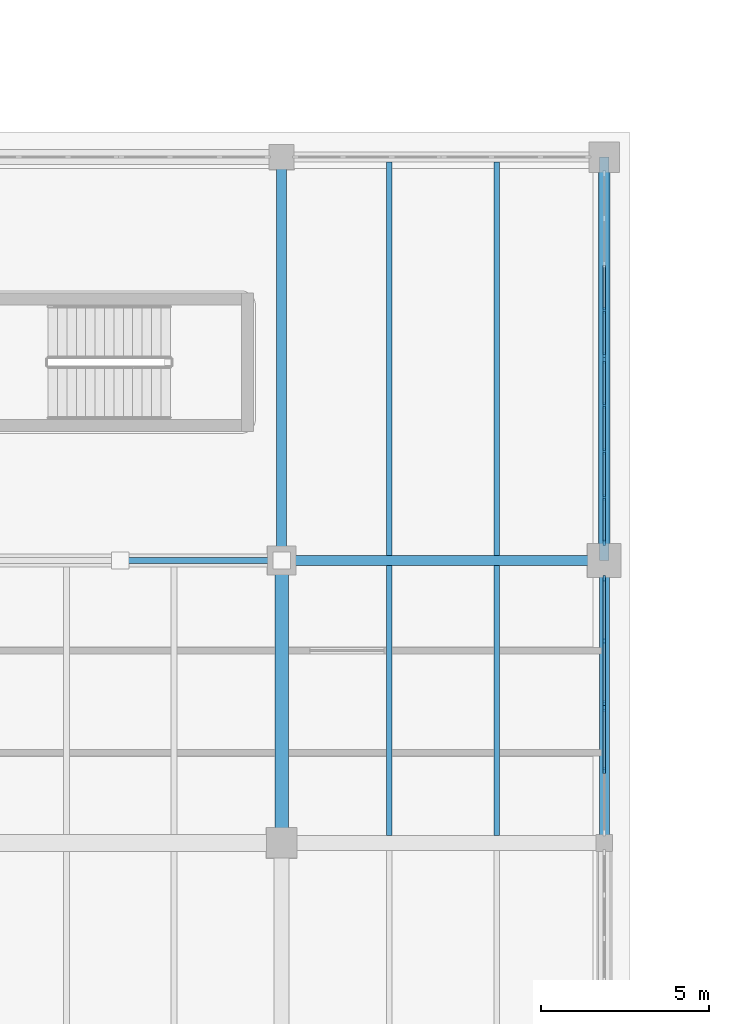
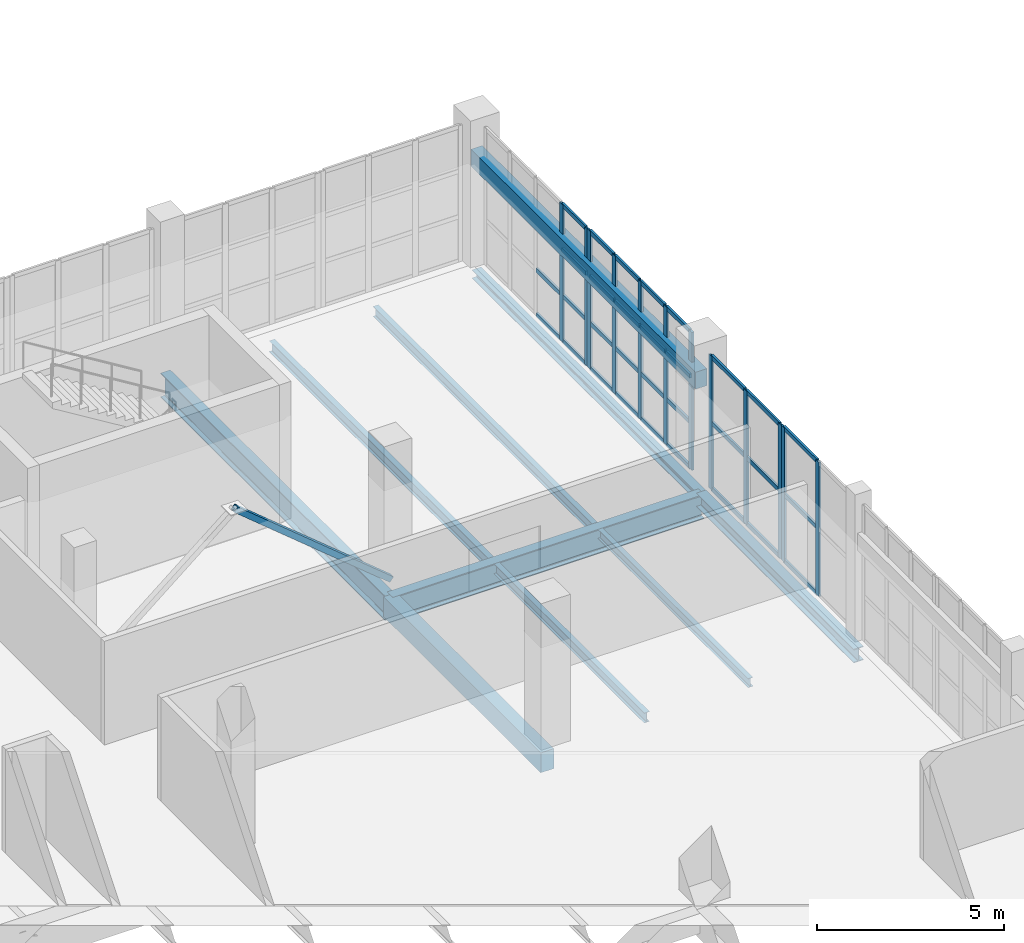
# One storey, part 36 of 121: 44 members, 10 beams, 4 elements without a shape of their own.
"""IFC4 building model written with IfcOpenShell, lengths in metres."""

from ifc_helpers import new_model, si_unit, direction, frame, origin, origin_2d, place, context, subcontext, project, spatial, rectangle, hollow_rectangle, i_section, extrude, material, layer, layer_set, material_profile, profile_set, type_object, element, aggregate, save


model = new_model("IFC4")

# Units and contexts
model_context = context("Model", 3, precision=1e-05, world=origin(), true_north=direction((0.0, 1.0)))
body_context = subcontext(model_context, "Body", "Model", "MODEL_VIEW")
ifc_project = project(units=[si_unit("LENGTHUNIT", "METRE"), si_unit("AREAUNIT", "SQUARE_METRE"), si_unit("VOLUMEUNIT", "CUBIC_METRE"), si_unit("PLANEANGLEUNIT", "RADIAN"), si_unit("MASSUNIT", "GRAM", prefix="KILO")], contexts=[model_context])

# Site, building, storey
site_placement = place(None, origin())
site = spatial("IfcSite", under=ifc_project, at=site_placement, CompositionType="ELEMENT")
building_placement = place(site_placement, origin())
building = spatial("IfcBuilding", under=site, at=building_placement, Name="Zereglee Splitstone Museum", CompositionType="ELEMENT")
storey_placement = place(building_placement, origin())
storey = spatial("IfcBuildingStorey", under=building, at=storey_placement, Name="L00", CompositionType="ELEMENT", Elevation=0.0)

# Beam
ifc_material_1 = material(Name="Concrete C40/50", Category="concrete")
ifc_material_profile_1 = material_profile(ifc_material_1, rectangle(XDim=0.39990234375, YDim=0.64990234375, at=origin_2d()), Name="RC 400x650")
ifc_profile_set_1 = profile_set([ifc_material_profile_1], Name="Concrete C40/50")
beam_type_1 = type_object("IfcBeamType", Name="BG-04", PredefinedType="BEAM", material=ifc_profile_set_1)
beam_1_placement = place(storey_placement, frame((135.60009765625, 30.0, -0.7451171875), z_axis=(0.0, 1.0, 0.0), x_axis=(-1.0, 0.0, 0.0)))
element("IfcBeam", 1, at=beam_1_placement, inside=storey, type_object=beam_type_1, Name="Primary Girder L00 16 (30.0-38.4)", PredefinedType="BEAM", context=body_context, shape_type="SweptSolid", body=[
    extrude(rectangle(XDim=0.39990234375, YDim=0.64990234375, at=origin_2d()), origin(), (0.0, 0.0, 1.0), 8.39990234375),
])

# Member
ifc_material_2 = material(Name="Steel S355J2H", Category="steel")
ifc_material_profile_2 = material_profile(ifc_material_2, hollow_rectangle(XDim=0.179931640625, YDim=0.179931640625, WallThickness=0.010009765625, at=origin_2d()), Name="SHS 180x180x10")
ifc_profile_set_2 = profile_set([ifc_material_profile_2], Name="Steel S355J2H")
member_type_1 = type_object("IfcMemberType", Name="TB-08", PredefinedType="BRACE", material=ifc_profile_set_2)
member_1_placement = place(storey_placement, frame((135.60009765625, 38.39990234375, 0.1201171875), z_axis=(-0.771379537849, 0.0, 0.636375367678), x_axis=(0.0, -1.0, 0.0)))
element("IfcMember", 2, at=member_1_placement, inside=storey, type_object=member_type_1, Name="Lateral Braced Frame Chevron L00-010B", PredefinedType="BRACE", context=body_context, shape_type="SweptSolid", body=[
    extrude(hollow_rectangle(XDim=0.179931640625, YDim=0.179931640625, WallThickness=0.010009765625, at=origin_2d()), origin(), (0.0, 0.0, 1.0), 6.22265625),
])

# Curtain wall, members
ifc_material_3 = material(Name="Triple-glazed low-E argon glass and bronze-anodised aluminium", Category="aluminium")
ifc_layer_1 = layer(ifc_material_3, 0.179931640625)
ifc_layer_set_1 = layer_set([ifc_layer_1], Name="Triple-glazed low-E argon glass and bronze-anodised aluminium")
curtain_wall_type_1 = type_object("IfcCurtainWallType", Name="CW-0378-438", PredefinedType="USERDEFINED", material=ifc_layer_set_1)
curtain_wall_1_placement = place(storey_placement, origin())
curtain_wall_1 = element("IfcCurtainWall", 3, at=curtain_wall_1_placement, inside=storey, type_object=curtain_wall_type_1, Name="Glazed Curtain Wall CW-0378-438 (L00)", ObjectType="GLAZED CURTAIN WALL", PredefinedType="USERDEFINED")
ifc_material_4 = material(Name="Thermally broken bronze-anodised aluminium", Category="aluminium")
ifc_material_profile_3 = material_profile(ifc_material_4, rectangle(XDim=0.06494140625, YDim=0.179931640625, at=origin_2d()), Name="CW MULL 65x180")
ifc_profile_set_3 = profile_set([ifc_material_profile_3], Name="Thermally broken bronze-anodised aluminium")
member_type_2 = type_object("IfcMemberType", Name="CWM-01", PredefinedType="MULLION", material=ifc_profile_set_3)
member_2_placement = place(storey_placement, frame((145.199951171875, 32.146484375, 0.0), z_axis=(0.0, 0.0, 1.0), x_axis=(-1.0, 0.0, 0.0)))
member_2 = element("IfcMember", 4, at=member_2_placement, type_object=member_type_2, Name="CW-0378-438 mullion 2", PredefinedType="MULLION", context=body_context, shape_type="SweptSolid", body=[
    extrude(rectangle(XDim=0.06494140625, YDim=0.179931640625, at=origin_2d()), origin(), (0.0, 0.0, 1.0), 4.3798828125),
])
member_3_placement = place(storey_placement, frame((145.199951171875, 34.00244140625, 0.0), z_axis=(0.0, 0.0, 1.0), x_axis=(-1.0, 0.0, 0.0)))
member_3 = element("IfcMember", 5, at=member_3_placement, type_object=member_type_2, Name="CW-0378-438 mullion 3", PredefinedType="MULLION", context=body_context, shape_type="SweptSolid", body=[
    extrude(rectangle(XDim=0.06494140625, YDim=0.179931640625, at=origin_2d()), origin(), (0.0, 0.0, 1.0), 4.3798828125),
])

ifc_layer_2 = layer(ifc_material_3, 0.179931640625)
ifc_layer_set_2 = layer_set([ifc_layer_2], Name="Triple-glazed low-E argon glass and bronze-anodised aluminium")
curtain_wall_type_2 = type_object("IfcCurtainWallType", Name="CW-0378-436", PredefinedType="USERDEFINED", material=ifc_layer_set_2)
curtain_wall_2_placement = place(storey_placement, origin())
curtain_wall_2 = element("IfcCurtainWall", 6, at=curtain_wall_2_placement, inside=storey, type_object=curtain_wall_type_2, Name="Glazed Curtain Wall CW-0378-436 (L00)", ObjectType="GLAZED CURTAIN WALL", PredefinedType="USERDEFINED")
member_4_placement = place(storey_placement, frame((145.199951171875, 34.1474609375, 0.0), z_axis=(0.0, 0.0, 1.0), x_axis=(-1.0, 0.0, 0.0)))
member_4 = element("IfcMember", 7, at=member_4_placement, type_object=member_type_2, Name="CW-0378-436 mullion 1", PredefinedType="MULLION", context=body_context, shape_type="SweptSolid", body=[
    extrude(rectangle(XDim=0.06494140625, YDim=0.179931640625, at=origin_2d()), origin(), (0.0, 0.0, 1.0), 4.360107421875),
])
member_5_placement = place(storey_placement, frame((145.199951171875, 36.00341796875, 0.0), z_axis=(0.0, 0.0, 1.0), x_axis=(-1.0, 0.0, 0.0)))
member_5 = element("IfcMember", 8, at=member_5_placement, type_object=member_type_2, Name="CW-0378-436 mullion 2", PredefinedType="MULLION", context=body_context, shape_type="SweptSolid", body=[
    extrude(rectangle(XDim=0.06494140625, YDim=0.179931640625, at=origin_2d()), origin(), (0.0, 0.0, 1.0), 4.360107421875),
])
member_6_placement = place(storey_placement, frame((145.199951171875, 37.859619140625, 0.0), z_axis=(0.0, 0.0, 1.0), x_axis=(-1.0, 0.0, 0.0)))
member_6 = element("IfcMember", 9, at=member_6_placement, type_object=member_type_2, Name="CW-0378-436 mullion 3", PredefinedType="MULLION", context=body_context, shape_type="SweptSolid", body=[
    extrude(rectangle(XDim=0.06494140625, YDim=0.179931640625, at=origin_2d()), origin(), (0.0, 0.0, 1.0), 4.360107421875),
])

ifc_layer_3 = layer(ifc_material_3, 0.179931640625)
ifc_layer_set_3 = layer_set([ifc_layer_3], Name="Triple-glazed low-E argon glass and bronze-anodised aluminium")
curtain_wall_type_3 = type_object("IfcCurtainWallType", Name="CW-0548-450", PredefinedType="USERDEFINED", material=ifc_layer_set_3)
curtain_wall_3_placement = place(storey_placement, origin())
curtain_wall_3 = element("IfcCurtainWall", 10, at=curtain_wall_3_placement, inside=storey, type_object=curtain_wall_type_3, Name="Glazed Curtain Wall CW-0548-450 (L00)", ObjectType="GLAZED CURTAIN WALL", PredefinedType="USERDEFINED")
member_7_placement = place(storey_placement, frame((145.199951171875, 38.9404296875, 0.0), z_axis=(0.0, 0.0, 1.0), x_axis=(-1.0, 0.0, 0.0)))
member_7 = element("IfcMember", 11, at=member_7_placement, type_object=member_type_2, Name="CW-0548-450 mullion 1", PredefinedType="MULLION", context=body_context, shape_type="SweptSolid", body=[
    extrude(rectangle(XDim=0.06494140625, YDim=0.179931640625, at=origin_2d()), origin(), (0.0, 0.0, 1.0), 4.5),
])
member_8_placement = place(storey_placement, frame((145.199951171875, 40.27734375, 0.0), z_axis=(0.0, 0.0, 1.0), x_axis=(-1.0, 0.0, 0.0)))
member_8 = element("IfcMember", 12, at=member_8_placement, type_object=member_type_2, Name="CW-0548-450 mullion 2", PredefinedType="MULLION", context=body_context, shape_type="SweptSolid", body=[
    extrude(rectangle(XDim=0.06494140625, YDim=0.179931640625, at=origin_2d()), origin(), (0.0, 0.0, 1.0), 4.5),
])
member_9_placement = place(storey_placement, frame((145.199951171875, 41.646484375, 0.0), z_axis=(0.0, 0.0, 1.0), x_axis=(-1.0, 0.0, 0.0)))
member_9 = element("IfcMember", 13, at=member_9_placement, type_object=member_type_2, Name="CW-0548-450 mullion 3", PredefinedType="MULLION", context=body_context, shape_type="SweptSolid", body=[
    extrude(rectangle(XDim=0.06494140625, YDim=0.179931640625, at=origin_2d()), origin(), (0.0, 0.0, 1.0), 4.5),
])
member_10_placement = place(storey_placement, frame((145.199951171875, 43.015869140625, 0.0), z_axis=(0.0, 0.0, 1.0), x_axis=(-1.0, 0.0, 0.0)))
member_10 = element("IfcMember", 14, at=member_10_placement, type_object=member_type_2, Name="CW-0548-450 mullion 4", PredefinedType="MULLION", context=body_context, shape_type="SweptSolid", body=[
    extrude(rectangle(XDim=0.06494140625, YDim=0.179931640625, at=origin_2d()), origin(), (0.0, 0.0, 1.0), 4.5),
])
member_11_placement = place(storey_placement, frame((145.199951171875, 44.3525390625, 0.0), z_axis=(0.0, 0.0, 1.0), x_axis=(-1.0, 0.0, 0.0)))
member_11 = element("IfcMember", 15, at=member_11_placement, type_object=member_type_2, Name="CW-0548-450 mullion 5", PredefinedType="MULLION", context=body_context, shape_type="SweptSolid", body=[
    extrude(rectangle(XDim=0.06494140625, YDim=0.179931640625, at=origin_2d()), origin(), (0.0, 0.0, 1.0), 4.5),
])

ifc_layer_4 = layer(ifc_material_3, 0.179931640625)
ifc_layer_set_4 = layer_set([ifc_layer_4], Name="Triple-glazed low-E argon glass and bronze-anodised aluminium")
curtain_wall_type_4 = type_object("IfcCurtainWallType", Name="CW-0548-448", PredefinedType="USERDEFINED", material=ifc_layer_set_4)
curtain_wall_4_placement = place(storey_placement, origin())
curtain_wall_4 = element("IfcCurtainWall", 16, at=curtain_wall_4_placement, inside=storey, type_object=curtain_wall_type_4, Name="Glazed Curtain Wall CW-0548-448 (L00)", ObjectType="GLAZED CURTAIN WALL", PredefinedType="USERDEFINED")
member_12_placement = place(storey_placement, frame((145.199951171875, 44.49755859375, 0.0), z_axis=(0.0, 0.0, 1.0), x_axis=(-1.0, 0.0, 0.0)))
member_12 = element("IfcMember", 17, at=member_12_placement, type_object=member_type_2, Name="CW-0548-448 mullion 1", PredefinedType="MULLION", context=body_context, shape_type="SweptSolid", body=[
    extrude(rectangle(XDim=0.06494140625, YDim=0.179931640625, at=origin_2d()), origin(), (0.0, 0.0, 1.0), 4.47998046875),
])
member_13_placement = place(storey_placement, frame((145.199951171875, 45.834228515625, 0.0), z_axis=(0.0, 0.0, 1.0), x_axis=(-1.0, 0.0, 0.0)))
member_13 = element("IfcMember", 18, at=member_13_placement, type_object=member_type_2, Name="CW-0548-448 mullion 2", PredefinedType="MULLION", context=body_context, shape_type="SweptSolid", body=[
    extrude(rectangle(XDim=0.06494140625, YDim=0.179931640625, at=origin_2d()), origin(), (0.0, 0.0, 1.0), 4.47998046875),
])

# Member
ifc_material_profile_4 = material_profile(ifc_material_4, rectangle(XDim=0.06494140625, YDim=0.139892578125, at=origin_2d()), Name="CW TRAN 65x140")
ifc_profile_set_4 = profile_set([ifc_material_profile_4], Name="Thermally broken bronze-anodised aluminium")
member_type_3 = type_object("IfcMemberType", Name="CWT-01", PredefinedType="USERDEFINED", material=ifc_profile_set_4)
member_14_placement = place(storey_placement, frame((145.199951171875, 32.178955078125, 0.032470703125), z_axis=(0.0, 1.0, 0.0), x_axis=(-1.0, 0.0, 0.0)))
member_14 = element("IfcMember", 19, at=member_14_placement, type_object=member_type_3, Name="CW-0378-438 transom 2.1", ObjectType="TRANSOM", PredefinedType="USERDEFINED", context=body_context, shape_type="SweptSolid", body=[
    extrude(rectangle(XDim=0.06494140625, YDim=0.139892578125, at=origin_2d()), origin(), (0.0, 0.0, 1.0), 1.791015625),
])

member_15_placement = place(storey_placement, frame((145.199951171875, 32.178955078125, 2.18994140625), z_axis=(0.0, 1.0, 0.0), x_axis=(-1.0, 0.0, 0.0)))
member_15 = element("IfcMember", 20, at=member_15_placement, type_object=member_type_3, Name="CW-0378-438 transom 2.2", ObjectType="TRANSOM", PredefinedType="USERDEFINED", context=body_context, shape_type="SweptSolid", body=[
    extrude(rectangle(XDim=0.06494140625, YDim=0.139892578125, at=origin_2d()), origin(), (0.0, 0.0, 1.0), 1.791015625),
])

member_16_placement = place(storey_placement, frame((145.199951171875, 32.178955078125, 4.347412109375), z_axis=(0.0, 1.0, 0.0), x_axis=(-1.0, 0.0, 0.0)))
member_16 = element("IfcMember", 21, at=member_16_placement, type_object=member_type_3, Name="CW-0378-438 transom 2.3", ObjectType="TRANSOM", PredefinedType="USERDEFINED", context=body_context, shape_type="SweptSolid", body=[
    extrude(rectangle(XDim=0.06494140625, YDim=0.139892578125, at=origin_2d()), origin(), (0.0, 0.0, 1.0), 1.791015625),
])

aggregate(curtain_wall_1, [member_2, member_3, member_14, member_15, member_16])

member_17_placement = place(storey_placement, frame((145.199951171875, 34.179931640625, 0.032470703125), z_axis=(0.0, 1.0, 0.0), x_axis=(-1.0, 0.0, 0.0)))
member_17 = element("IfcMember", 22, at=member_17_placement, type_object=member_type_3, Name="CW-0378-436 transom 1.1", ObjectType="TRANSOM", PredefinedType="USERDEFINED", context=body_context, shape_type="SweptSolid", body=[
    extrude(rectangle(XDim=0.06494140625, YDim=0.139892578125, at=origin_2d()), origin(), (0.0, 0.0, 1.0), 1.791015625),
])

member_18_placement = place(storey_placement, frame((145.199951171875, 34.179931640625, 2.179931640625), z_axis=(0.0, 1.0, 0.0), x_axis=(-1.0, 0.0, 0.0)))
member_18 = element("IfcMember", 23, at=member_18_placement, type_object=member_type_3, Name="CW-0378-436 transom 1.2", ObjectType="TRANSOM", PredefinedType="USERDEFINED", context=body_context, shape_type="SweptSolid", body=[
    extrude(rectangle(XDim=0.06494140625, YDim=0.139892578125, at=origin_2d()), origin(), (0.0, 0.0, 1.0), 1.791015625),
])

member_19_placement = place(storey_placement, frame((145.199951171875, 34.179931640625, 4.327392578125), z_axis=(0.0, 1.0, 0.0), x_axis=(-1.0, 0.0, 0.0)))
member_19 = element("IfcMember", 24, at=member_19_placement, type_object=member_type_3, Name="CW-0378-436 transom 1.3", ObjectType="TRANSOM", PredefinedType="USERDEFINED", context=body_context, shape_type="SweptSolid", body=[
    extrude(rectangle(XDim=0.06494140625, YDim=0.139892578125, at=origin_2d()), origin(), (0.0, 0.0, 1.0), 1.791015625),
])

member_20_placement = place(storey_placement, frame((145.199951171875, 36.035888671875, 0.032470703125), z_axis=(0.0, 1.0, 0.0), x_axis=(-1.0, 0.0, 0.0)))
member_20 = element("IfcMember", 25, at=member_20_placement, type_object=member_type_3, Name="CW-0378-436 transom 2.1", ObjectType="TRANSOM", PredefinedType="USERDEFINED", context=body_context, shape_type="SweptSolid", body=[
    extrude(rectangle(XDim=0.06494140625, YDim=0.139892578125, at=origin_2d()), origin(), (0.0, 0.0, 1.0), 1.791015625),
])

member_21_placement = place(storey_placement, frame((145.199951171875, 36.035888671875, 2.179931640625), z_axis=(0.0, 1.0, 0.0), x_axis=(-1.0, 0.0, 0.0)))
member_21 = element("IfcMember", 26, at=member_21_placement, type_object=member_type_3, Name="CW-0378-436 transom 2.2", ObjectType="TRANSOM", PredefinedType="USERDEFINED", context=body_context, shape_type="SweptSolid", body=[
    extrude(rectangle(XDim=0.06494140625, YDim=0.139892578125, at=origin_2d()), origin(), (0.0, 0.0, 1.0), 1.791015625),
])

member_22_placement = place(storey_placement, frame((145.199951171875, 36.035888671875, 4.327392578125), z_axis=(0.0, 1.0, 0.0), x_axis=(-1.0, 0.0, 0.0)))
member_22 = element("IfcMember", 27, at=member_22_placement, type_object=member_type_3, Name="CW-0378-436 transom 2.3", ObjectType="TRANSOM", PredefinedType="USERDEFINED", context=body_context, shape_type="SweptSolid", body=[
    extrude(rectangle(XDim=0.06494140625, YDim=0.139892578125, at=origin_2d()), origin(), (0.0, 0.0, 1.0), 1.791015625),
])

aggregate(curtain_wall_2, [member_4, member_5, member_6, member_17, member_18, member_19, member_20, member_21, member_22])

member_23_placement = place(storey_placement, frame((145.199951171875, 38.972900390625, 0.032470703125), z_axis=(0.0, 1.0, 0.0), x_axis=(-1.0, 0.0, 0.0)))
member_23 = element("IfcMember", 28, at=member_23_placement, type_object=member_type_3, Name="CW-0548-450 transom 1.1", ObjectType="TRANSOM", PredefinedType="USERDEFINED", context=body_context, shape_type="SweptSolid", body=[
    extrude(rectangle(XDim=0.06494140625, YDim=0.139892578125, at=origin_2d()), origin(), (0.0, 0.0, 1.0), 1.271728515625),
])

member_24_placement = place(storey_placement, frame((145.199951171875, 38.972900390625, 1.5), z_axis=(0.0, 1.0, 0.0), x_axis=(-1.0, 0.0, 0.0)))
member_24 = element("IfcMember", 29, at=member_24_placement, type_object=member_type_3, Name="CW-0548-450 transom 1.2", ObjectType="TRANSOM", PredefinedType="USERDEFINED", context=body_context, shape_type="SweptSolid", body=[
    extrude(rectangle(XDim=0.06494140625, YDim=0.139892578125, at=origin_2d()), origin(), (0.0, 0.0, 1.0), 1.271728515625),
])

member_25_placement = place(storey_placement, frame((145.199951171875, 38.972900390625, 3.0), z_axis=(0.0, 1.0, 0.0), x_axis=(-1.0, 0.0, 0.0)))
member_25 = element("IfcMember", 30, at=member_25_placement, type_object=member_type_3, Name="CW-0548-450 transom 1.3", ObjectType="TRANSOM", PredefinedType="USERDEFINED", context=body_context, shape_type="SweptSolid", body=[
    extrude(rectangle(XDim=0.06494140625, YDim=0.139892578125, at=origin_2d()), origin(), (0.0, 0.0, 1.0), 1.271728515625),
])

member_26_placement = place(storey_placement, frame((145.199951171875, 38.972900390625, 4.467529296875), z_axis=(0.0, 1.0, 0.0), x_axis=(-1.0, 0.0, 0.0)))
member_26 = element("IfcMember", 31, at=member_26_placement, type_object=member_type_3, Name="CW-0548-450 transom 1.4", ObjectType="TRANSOM", PredefinedType="USERDEFINED", context=body_context, shape_type="SweptSolid", body=[
    extrude(rectangle(XDim=0.06494140625, YDim=0.139892578125, at=origin_2d()), origin(), (0.0, 0.0, 1.0), 1.271728515625),
])

member_27_placement = place(storey_placement, frame((145.199951171875, 40.309814453125, 0.032470703125), z_axis=(0.0, 1.0, 0.0), x_axis=(-1.0, 0.0, 0.0)))
member_27 = element("IfcMember", 32, at=member_27_placement, type_object=member_type_3, Name="CW-0548-450 transom 2.1", ObjectType="TRANSOM", PredefinedType="USERDEFINED", context=body_context, shape_type="SweptSolid", body=[
    extrude(rectangle(XDim=0.06494140625, YDim=0.139892578125, at=origin_2d()), origin(), (0.0, 0.0, 1.0), 1.30419921875),
])

member_28_placement = place(storey_placement, frame((145.199951171875, 40.309814453125, 1.5), z_axis=(0.0, 1.0, 0.0), x_axis=(-1.0, 0.0, 0.0)))
member_28 = element("IfcMember", 33, at=member_28_placement, type_object=member_type_3, Name="CW-0548-450 transom 2.2", ObjectType="TRANSOM", PredefinedType="USERDEFINED", context=body_context, shape_type="SweptSolid", body=[
    extrude(rectangle(XDim=0.06494140625, YDim=0.139892578125, at=origin_2d()), origin(), (0.0, 0.0, 1.0), 1.30419921875),
])

member_29_placement = place(storey_placement, frame((145.199951171875, 40.309814453125, 3.0), z_axis=(0.0, 1.0, 0.0), x_axis=(-1.0, 0.0, 0.0)))
member_29 = element("IfcMember", 34, at=member_29_placement, type_object=member_type_3, Name="CW-0548-450 transom 2.3", ObjectType="TRANSOM", PredefinedType="USERDEFINED", context=body_context, shape_type="SweptSolid", body=[
    extrude(rectangle(XDim=0.06494140625, YDim=0.139892578125, at=origin_2d()), origin(), (0.0, 0.0, 1.0), 1.30419921875),
])

member_30_placement = place(storey_placement, frame((145.199951171875, 40.309814453125, 4.467529296875), z_axis=(0.0, 1.0, 0.0), x_axis=(-1.0, 0.0, 0.0)))
member_30 = element("IfcMember", 35, at=member_30_placement, type_object=member_type_3, Name="CW-0548-450 transom 2.4", ObjectType="TRANSOM", PredefinedType="USERDEFINED", context=body_context, shape_type="SweptSolid", body=[
    extrude(rectangle(XDim=0.06494140625, YDim=0.139892578125, at=origin_2d()), origin(), (0.0, 0.0, 1.0), 1.30419921875),
])

member_31_placement = place(storey_placement, frame((145.199951171875, 41.678955078125, 0.032470703125), z_axis=(0.0, 1.0, 0.0), x_axis=(-1.0, 0.0, 0.0)))
member_31 = element("IfcMember", 36, at=member_31_placement, type_object=member_type_3, Name="CW-0548-450 transom 3.1", ObjectType="TRANSOM", PredefinedType="USERDEFINED", context=body_context, shape_type="SweptSolid", body=[
    extrude(rectangle(XDim=0.06494140625, YDim=0.139892578125, at=origin_2d()), origin(), (0.0, 0.0, 1.0), 1.30419921875),
])

member_32_placement = place(storey_placement, frame((145.199951171875, 41.678955078125, 1.5), z_axis=(0.0, 1.0, 0.0), x_axis=(-1.0, 0.0, 0.0)))
member_32 = element("IfcMember", 37, at=member_32_placement, type_object=member_type_3, Name="CW-0548-450 transom 3.2", ObjectType="TRANSOM", PredefinedType="USERDEFINED", context=body_context, shape_type="SweptSolid", body=[
    extrude(rectangle(XDim=0.06494140625, YDim=0.139892578125, at=origin_2d()), origin(), (0.0, 0.0, 1.0), 1.30419921875),
])

member_33_placement = place(storey_placement, frame((145.199951171875, 41.678955078125, 3.0), z_axis=(0.0, 1.0, 0.0), x_axis=(-1.0, 0.0, 0.0)))
member_33 = element("IfcMember", 38, at=member_33_placement, type_object=member_type_3, Name="CW-0548-450 transom 3.3", ObjectType="TRANSOM", PredefinedType="USERDEFINED", context=body_context, shape_type="SweptSolid", body=[
    extrude(rectangle(XDim=0.06494140625, YDim=0.139892578125, at=origin_2d()), origin(), (0.0, 0.0, 1.0), 1.30419921875),
])

member_34_placement = place(storey_placement, frame((145.199951171875, 41.678955078125, 4.467529296875), z_axis=(0.0, 1.0, 0.0), x_axis=(-1.0, 0.0, 0.0)))
member_34 = element("IfcMember", 39, at=member_34_placement, type_object=member_type_3, Name="CW-0548-450 transom 3.4", ObjectType="TRANSOM", PredefinedType="USERDEFINED", context=body_context, shape_type="SweptSolid", body=[
    extrude(rectangle(XDim=0.06494140625, YDim=0.139892578125, at=origin_2d()), origin(), (0.0, 0.0, 1.0), 1.30419921875),
])

member_35_placement = place(storey_placement, frame((145.199951171875, 43.04833984375, 0.032470703125), z_axis=(0.0, 1.0, 0.0), x_axis=(-1.0, 0.0, 0.0)))
member_35 = element("IfcMember", 40, at=member_35_placement, type_object=member_type_3, Name="CW-0548-450 transom 4.1", ObjectType="TRANSOM", PredefinedType="USERDEFINED", context=body_context, shape_type="SweptSolid", body=[
    extrude(rectangle(XDim=0.06494140625, YDim=0.139892578125, at=origin_2d()), origin(), (0.0, 0.0, 1.0), 1.271728515625),
])

member_36_placement = place(storey_placement, frame((145.199951171875, 43.04833984375, 1.5), z_axis=(0.0, 1.0, 0.0), x_axis=(-1.0, 0.0, 0.0)))
member_36 = element("IfcMember", 41, at=member_36_placement, type_object=member_type_3, Name="CW-0548-450 transom 4.2", ObjectType="TRANSOM", PredefinedType="USERDEFINED", context=body_context, shape_type="SweptSolid", body=[
    extrude(rectangle(XDim=0.06494140625, YDim=0.139892578125, at=origin_2d()), origin(), (0.0, 0.0, 1.0), 1.271728515625),
])

member_37_placement = place(storey_placement, frame((145.199951171875, 43.04833984375, 3.0), z_axis=(0.0, 1.0, 0.0), x_axis=(-1.0, 0.0, 0.0)))
member_37 = element("IfcMember", 42, at=member_37_placement, type_object=member_type_3, Name="CW-0548-450 transom 4.3", ObjectType="TRANSOM", PredefinedType="USERDEFINED", context=body_context, shape_type="SweptSolid", body=[
    extrude(rectangle(XDim=0.06494140625, YDim=0.139892578125, at=origin_2d()), origin(), (0.0, 0.0, 1.0), 1.271728515625),
])

member_38_placement = place(storey_placement, frame((145.199951171875, 43.04833984375, 4.467529296875), z_axis=(0.0, 1.0, 0.0), x_axis=(-1.0, 0.0, 0.0)))
member_38 = element("IfcMember", 43, at=member_38_placement, type_object=member_type_3, Name="CW-0548-450 transom 4.4", ObjectType="TRANSOM", PredefinedType="USERDEFINED", context=body_context, shape_type="SweptSolid", body=[
    extrude(rectangle(XDim=0.06494140625, YDim=0.139892578125, at=origin_2d()), origin(), (0.0, 0.0, 1.0), 1.271728515625),
])

aggregate(curtain_wall_3, [member_7, member_8, member_9, member_10, member_11, member_23, member_24, member_25, member_26, member_27, member_28, member_29, member_30, member_31, member_32, member_33, member_34, member_35, member_36, member_37, member_38])

member_39_placement = place(storey_placement, frame((145.199951171875, 44.530029296875, 0.032470703125), z_axis=(0.0, 1.0, 0.0), x_axis=(-1.0, 0.0, 0.0)))
member_39 = element("IfcMember", 44, at=member_39_placement, type_object=member_type_3, Name="CW-0548-448 transom 1.1", ObjectType="TRANSOM", PredefinedType="USERDEFINED", context=body_context, shape_type="SweptSolid", body=[
    extrude(rectangle(XDim=0.06494140625, YDim=0.139892578125, at=origin_2d()), origin(), (0.0, 0.0, 1.0), 1.271728515625),
])

member_40_placement = place(storey_placement, frame((145.199951171875, 44.530029296875, 1.493408203125), z_axis=(0.0, 1.0, 0.0), x_axis=(-1.0, 0.0, 0.0)))
member_40 = element("IfcMember", 45, at=member_40_placement, type_object=member_type_3, Name="CW-0548-448 transom 1.2", ObjectType="TRANSOM", PredefinedType="USERDEFINED", context=body_context, shape_type="SweptSolid", body=[
    extrude(rectangle(XDim=0.06494140625, YDim=0.139892578125, at=origin_2d()), origin(), (0.0, 0.0, 1.0), 1.271728515625),
])

member_41_placement = place(storey_placement, frame((145.199951171875, 44.530029296875, 2.98681640625), z_axis=(0.0, 1.0, 0.0), x_axis=(-1.0, 0.0, 0.0)))
member_41 = element("IfcMember", 46, at=member_41_placement, type_object=member_type_3, Name="CW-0548-448 transom 1.3", ObjectType="TRANSOM", PredefinedType="USERDEFINED", context=body_context, shape_type="SweptSolid", body=[
    extrude(rectangle(XDim=0.06494140625, YDim=0.139892578125, at=origin_2d()), origin(), (0.0, 0.0, 1.0), 1.271728515625),
])

member_42_placement = place(storey_placement, frame((145.199951171875, 44.530029296875, 4.447509765625), z_axis=(0.0, 1.0, 0.0), x_axis=(-1.0, 0.0, 0.0)))
member_42 = element("IfcMember", 47, at=member_42_placement, type_object=member_type_3, Name="CW-0548-448 transom 1.4", ObjectType="TRANSOM", PredefinedType="USERDEFINED", context=body_context, shape_type="SweptSolid", body=[
    extrude(rectangle(XDim=0.06494140625, YDim=0.139892578125, at=origin_2d()), origin(), (0.0, 0.0, 1.0), 1.271728515625),
])

member_43_placement = place(storey_placement, frame((145.199951171875, 45.86669921875, 0.032470703125), z_axis=(0.0, 1.0, 0.0), x_axis=(-1.0, 0.0, 0.0)))
member_43 = element("IfcMember", 48, at=member_43_placement, type_object=member_type_3, Name="CW-0548-448 transom 2.1", ObjectType="TRANSOM", PredefinedType="USERDEFINED", context=body_context, shape_type="SweptSolid", body=[
    extrude(rectangle(XDim=0.06494140625, YDim=0.139892578125, at=origin_2d()), origin(), (0.0, 0.0, 1.0), 1.30419921875),
])

member_44_placement = place(storey_placement, frame((145.199951171875, 45.86669921875, 1.493408203125), z_axis=(0.0, 1.0, 0.0), x_axis=(-1.0, 0.0, 0.0)))
member_44 = element("IfcMember", 49, at=member_44_placement, type_object=member_type_3, Name="CW-0548-448 transom 2.2", ObjectType="TRANSOM", PredefinedType="USERDEFINED", context=body_context, shape_type="SweptSolid", body=[
    extrude(rectangle(XDim=0.06494140625, YDim=0.139892578125, at=origin_2d()), origin(), (0.0, 0.0, 1.0), 1.30419921875),
])

aggregate(curtain_wall_4, [member_12, member_13, member_39, member_40, member_41, member_42, member_43, member_44])

# Beams
ifc_material_5 = material(Name="Steel S355J2", Category="steel")
ifc_material_profile_5 = material_profile(ifc_material_5, i_section(OverallWidth=0.300048828125, OverallDepth=0.800048828125, WebThickness=0.017578125, FlangeThickness=0.032958984375, FilletRadius=0.030029296875, at=origin_2d()), Name="HE 800 B")
ifc_profile_set_5 = profile_set([ifc_material_profile_5], Name="Steel S355J2")
beam_type_2 = type_object("IfcBeamType", Name="BG-07", PredefinedType="BEAM", material=ifc_profile_set_5)
beam_2_placement = place(storey_placement, frame((135.60009765625, 38.39990234375, -0.820068359375), z_axis=(1.0, 0.0, 0.0), x_axis=(0.0, 1.0, 0.0)))
element("IfcBeam", 50, at=beam_2_placement, inside=storey, type_object=beam_type_2, Name="Primary Girder L00 E (135.6-145.2)", PredefinedType="BEAM", context=body_context, shape_type="SweptSolid", body=[
    extrude(i_section(OverallWidth=0.300048828125, OverallDepth=0.800048828125, WebThickness=0.017578125, FlangeThickness=0.032958984375, FilletRadius=0.030029296875, at=origin_2d()), origin(), (0.0, 0.0, 1.0), 9.599853515625),
])
beam_3_placement = place(storey_placement, frame((135.60009765625, 38.39990234375, -0.820068359375), z_axis=(0.0, 1.0, 0.0), x_axis=(-1.0, 0.0, 0.0)))
element("IfcBeam", 51, at=beam_3_placement, inside=storey, type_object=beam_type_2, Name="Primary Girder L00 16 (38.4-50.4)", PredefinedType="BEAM", context=body_context, shape_type="SweptSolid", body=[
    extrude(i_section(OverallWidth=0.300048828125, OverallDepth=0.800048828125, WebThickness=0.017578125, FlangeThickness=0.032958984375, FilletRadius=0.030029296875, at=origin_2d()), origin(), (0.0, 0.0, 1.0), 12.0),
])
ifc_material_profile_6 = material_profile(ifc_material_5, i_section(OverallWidth=0.14990234375, OverallDepth=0.300048828125, WebThickness=0.007080078125, FlangeThickness=0.0107421875, FilletRadius=0.014892578125, at=origin_2d()), Name="IPE 300")
ifc_profile_set_6 = profile_set([ifc_material_profile_6], Name="Steel S355J2")
beam_type_3 = type_object("IfcBeamType", Name="BJ-06", PredefinedType="JOIST", material=ifc_profile_set_6)
beam_4_placement = place(storey_placement, frame((142.0, 30.22509765625, -0.570068359375), z_axis=(0.0, 1.0, 0.0), x_axis=(-1.0, 0.0, 0.0)))
element("IfcBeam", 52, at=beam_4_placement, inside=storey, type_object=beam_type_3, Name="Secondary Floor Joist L00-0362", PredefinedType="JOIST", context=body_context, shape_type="SweptSolid", body=[
    extrude(i_section(OverallWidth=0.14990234375, OverallDepth=0.300048828125, WebThickness=0.007080078125, FlangeThickness=0.0107421875, FilletRadius=0.014892578125, at=origin_2d()), origin(), (0.0, 0.0, 1.0), 8.02490234375),
])
ifc_material_profile_7 = material_profile(ifc_material_5, i_section(OverallWidth=0.159912109375, OverallDepth=0.330078125, WebThickness=0.007568359375, FlangeThickness=0.011474609375, FilletRadius=0.01806640625, at=origin_2d()), Name="IPE 330")
ifc_profile_set_7 = profile_set([ifc_material_profile_7], Name="Steel S355J2")
beam_type_4 = type_object("IfcBeamType", Name="BJ-05", PredefinedType="JOIST", material=ifc_profile_set_7)
beam_5_placement = place(storey_placement, frame((138.800048828125, 30.22509765625, -0.5849609375), z_axis=(0.0, 1.0, 0.0), x_axis=(-1.0, 0.0, 0.0)))
element("IfcBeam", 53, at=beam_5_placement, inside=storey, type_object=beam_type_4, Name="Secondary Floor Joist L00-0361", PredefinedType="JOIST", context=body_context, shape_type="SweptSolid", body=[
    extrude(i_section(OverallWidth=0.159912109375, OverallDepth=0.330078125, WebThickness=0.007568359375, FlangeThickness=0.011474609375, FilletRadius=0.01806640625, at=origin_2d()), origin(), (0.0, 0.0, 1.0), 8.02490234375),
])
beam_6_placement = place(storey_placement, frame((142.0, 38.550048828125, -0.5849609375), z_axis=(0.0, 1.0, 0.0), x_axis=(-1.0, 0.0, 0.0)))
element("IfcBeam", 54, at=beam_6_placement, inside=storey, type_object=beam_type_4, Name="Secondary Floor Joist L00-0403", PredefinedType="JOIST", context=body_context, shape_type="SweptSolid", body=[
    extrude(i_section(OverallWidth=0.159912109375, OverallDepth=0.330078125, WebThickness=0.007568359375, FlangeThickness=0.011474609375, FilletRadius=0.01806640625, at=origin_2d()), origin(), (0.0, 0.0, 1.0), 11.699951171875),
])
ifc_material_profile_8 = material_profile(ifc_material_5, i_section(OverallWidth=0.169921875, OverallDepth=0.360107421875, WebThickness=0.008056640625, FlangeThickness=0.0126953125, FilletRadius=0.01806640625, at=origin_2d()), Name="IPE 360")
ifc_profile_set_8 = profile_set([ifc_material_profile_8], Name="Steel S355J2")
beam_type_5 = type_object("IfcBeamType", Name="BJ-04", PredefinedType="JOIST", material=ifc_profile_set_8)
beam_7_placement = place(storey_placement, frame((138.800048828125, 38.550048828125, -0.60009765625), z_axis=(0.0, 1.0, 0.0), x_axis=(-1.0, 0.0, 0.0)))
element("IfcBeam", 55, at=beam_7_placement, inside=storey, type_object=beam_type_5, Name="Secondary Floor Joist L00-0402", PredefinedType="JOIST", context=body_context, shape_type="SweptSolid", body=[
    extrude(i_section(OverallWidth=0.169921875, OverallDepth=0.360107421875, WebThickness=0.008056640625, FlangeThickness=0.0126953125, FilletRadius=0.01806640625, at=origin_2d()), origin(), (0.0, 0.0, 1.0), 11.699951171875),
])
ifc_material_6 = material(Name="Precast concrete C40/50", Category="concrete")
ifc_material_profile_9 = material_profile(ifc_material_6, rectangle(XDim=0.35009765625, YDim=0.550048828125, at=origin_2d()), Name="RC 350x550")
ifc_profile_set_9 = profile_set([ifc_material_profile_9], Name="Precast concrete C40/50")
beam_type_6 = type_object("IfcBeamType", Name="LN-01", PredefinedType="LINTEL", material=ifc_profile_set_9)
beam_8_placement = place(storey_placement, frame((145.199951171875, 38.39990234375, 3.25), z_axis=(0.0, 1.0, 0.0), x_axis=(-1.0, 0.0, 0.0)))
element("IfcBeam", 56, at=beam_8_placement, inside=storey, type_object=beam_type_6, Name="Pishtaq Portal Lintel LNT-08", PredefinedType="LINTEL", context=body_context, shape_type="SweptSolid", body=[
    extrude(rectangle(XDim=0.35009765625, YDim=0.550048828125, at=origin_2d()), origin(), (0.0, 0.0, 1.0), 12.0),
])
ifc_material_profile_10 = material_profile(ifc_material_5, i_section(OverallWidth=0.280029296875, OverallDepth=0.280029296875, WebThickness=0.010498046875, FlangeThickness=0.01806640625, FilletRadius=0.02392578125, at=origin_2d()), Name="HE 280 B")
ifc_profile_set_10 = profile_set([ifc_material_profile_10], Name="Steel S355J2")
beam_type_7 = type_object("IfcBeamType", Name="SP-03", PredefinedType="SPANDREL", material=ifc_profile_set_10)
beam_9_placement = place(storey_placement, frame((145.199951171875, 38.39990234375, -0.56005859375), z_axis=(0.0, 1.0, 0.0), x_axis=(-1.0, 0.0, 0.0)))
element("IfcBeam", 57, at=beam_9_placement, inside=storey, type_object=beam_type_7, Name="Primary Girder L00 17 (38.4-50.4)", PredefinedType="SPANDREL", context=body_context, shape_type="SweptSolid", body=[
    extrude(i_section(OverallWidth=0.280029296875, OverallDepth=0.280029296875, WebThickness=0.010498046875, FlangeThickness=0.01806640625, FilletRadius=0.02392578125, at=origin_2d()), origin(), (0.0, 0.0, 1.0), 12.0),
])
ifc_material_profile_11 = material_profile(ifc_material_5, i_section(OverallWidth=0.300048828125, OverallDepth=0.449951171875, WebThickness=0.013916015625, FlangeThickness=0.02587890625, FilletRadius=0.027099609375, at=origin_2d()), Name="HE 450 B")
ifc_profile_set_11 = profile_set([ifc_material_profile_11], Name="Steel S355J2")
beam_type_8 = type_object("IfcBeamType", Name="SP-02", PredefinedType="SPANDREL", material=ifc_profile_set_11)
beam_10_placement = place(storey_placement, frame((145.199951171875, 30.0, -0.64501953125), z_axis=(0.0, 1.0, 0.0), x_axis=(-1.0, 0.0, 0.0)))
element("IfcBeam", 58, at=beam_10_placement, inside=storey, type_object=beam_type_8, Name="Primary Girder L00 17 (30.0-38.4)", PredefinedType="SPANDREL", context=body_context, shape_type="SweptSolid", body=[
    extrude(i_section(OverallWidth=0.300048828125, OverallDepth=0.449951171875, WebThickness=0.013916015625, FlangeThickness=0.02587890625, FilletRadius=0.027099609375, at=origin_2d()), origin(), (0.0, 0.0, 1.0), 8.39990234375),
])

save(model, "model.ifc")
